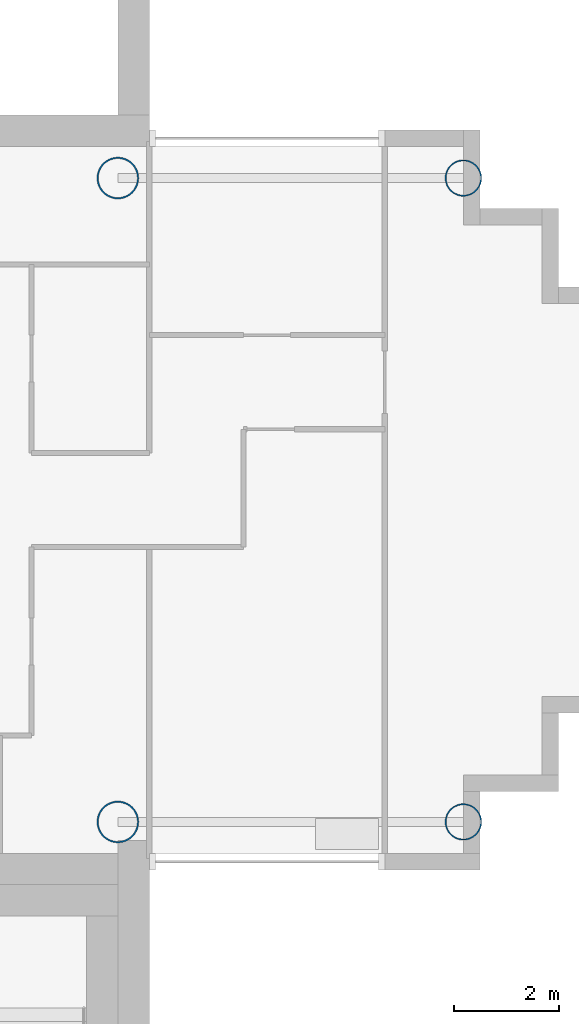
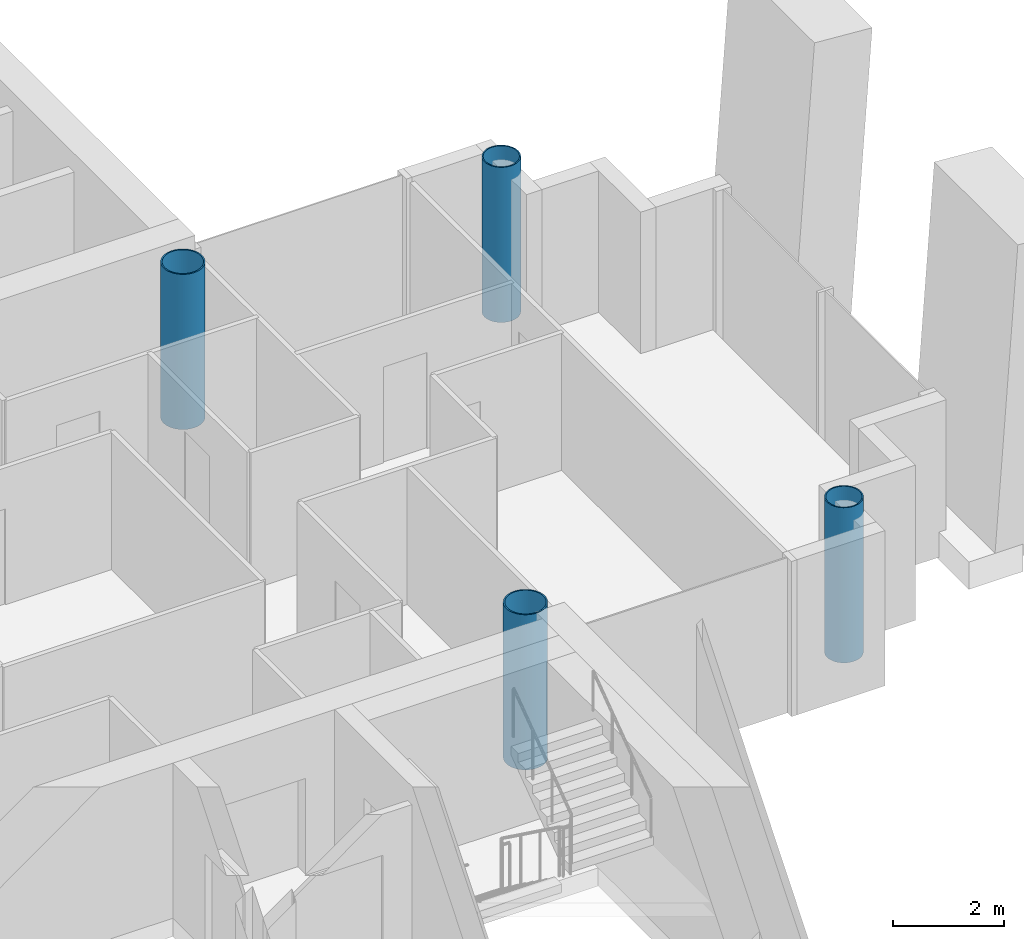
# One storey, part 2 of 18: 4 columns.
"""IFC4 building model written with IfcOpenShell, lengths in metres."""

import ifcopenshell
import ifcopenshell.guid

model = None  # the IFC model being written
_history = None  # IfcOwnerHistory: only IFC2X3 demands one
_inside = {}  # id of a spatial element -> (the spatial element, [elements in it])
_under = {}  # id of a project, library or spatial element -> (it, [spatial elements below it])
_declared = {}  # id of a project -> (the project, [libraries it declares])
_typed = {}  # id of a type object -> (the type object, [elements of that type])
_made_of = {}  # id of a material, layer set ... -> (it, [elements and type objects made of it])


def new_model(schema):
    """Start an empty IFC model of exactly this schema.

    Asked for "IFC4X3", IfcOpenShell would pick the latest addendum, in which some entities
    have other attributes; the version numbers below select the first issue.
    IFC2X3 requires an IfcOwnerHistory on every rooted entity: one is made here for all.
    """
    global model, _history
    if schema == "IFC4X3":
        model = ifcopenshell.file(schema_version=(4, 3, 0, 0))
    else:
        model = ifcopenshell.file(schema=schema)
    _inside.clear()
    _under.clear()
    _declared.clear()
    _typed.clear()
    _made_of.clear()
    _history = None
    if model.schema == "IFC2X3":
        org = make("IfcOrganization", Name="unknown")
        user = make(
            "IfcPersonAndOrganization",
            ThePerson=make("IfcPerson", FamilyName="unknown"),
            TheOrganization=org,
        )
        app = make(
            "IfcApplication",
            ApplicationDeveloper=org,
            Version="unknown",
            ApplicationFullName="unknown",
            ApplicationIdentifier="unknown",
        )
        _history = make(
            "IfcOwnerHistory",
            OwningUser=user,
            OwningApplication=app,
            ChangeAction="ADDED",
            CreationDate=0,
        )
    return model


def make(cls, **values):
    """One entity of the class cls with the attributes given. An attribute that is None is left unset."""
    return model.create_entity(
        cls, **{name: value for name, value in values.items() if value is not None}
    )


def rooted(cls, **values):
    """An entity with a GlobalId (a new one), such as an element, a storey or a relation."""
    return make(cls, GlobalId=ifcopenshell.guid.new(), OwnerHistory=_history, **values)


def si_unit(unit_type, name, prefix=None):
    """IfcSIUnit, for example si_unit("LENGTHUNIT", "METRE", prefix="MILLI")."""
    return make("IfcSIUnit", UnitType=unit_type, Prefix=prefix, Name=name)


def assignment(units):
    """IfcUnitAssignment: the units of a project."""
    return None if units is None else make("IfcUnitAssignment", Units=units)


def point(xyz):
    """IfcCartesianPoint."""
    return None if xyz is None else make("IfcCartesianPoint", Coordinates=xyz)


def direction(xyz):
    """IfcDirection."""
    return None if xyz is None else make("IfcDirection", DirectionRatios=xyz)


def frame(location, z_axis=None, x_axis=None):
    """IfcAxis2Placement3D, a coordinate frame: its origin and axes. An axis left out is left unset."""
    return make(
        "IfcAxis2Placement3D",
        Location=point(location),
        Axis=direction(z_axis),
        RefDirection=direction(x_axis),
    )


def frame_2d(location, x_axis=None):
    """IfcAxis2Placement2D, a coordinate frame in the plane: its origin and x axis."""
    return make(
        "IfcAxis2Placement2D", Location=point(location), RefDirection=direction(x_axis)
    )


def origin():
    """The frame at (0, 0, 0) with its axes left unset."""
    return frame((0.0, 0.0, 0.0))


def origin_2d():
    """The frame at (0, 0) in the plane with its x axis left unset."""
    return frame_2d((0.0, 0.0))


def place(relative_to, where):
    """IfcLocalPlacement: puts the frame where relative to a parent placement (None: the world)."""
    return make(
        "IfcLocalPlacement", PlacementRelTo=relative_to, RelativePlacement=where
    )


def context(
    kind, dimensions, precision=None, world=None, true_north=None, identifier=None
):
    """IfcGeometricRepresentationContext, for example the 3D "Model" context."""
    return make(
        "IfcGeometricRepresentationContext",
        ContextIdentifier=identifier,
        ContextType=kind,
        CoordinateSpaceDimension=dimensions,
        Precision=precision,
        WorldCoordinateSystem=world,
        TrueNorth=true_north,
    )


def subcontext(parent, identifier, kind, view, scale=None):
    """IfcGeometricRepresentationSubContext, for example "Body" below "Model"."""
    return make(
        "IfcGeometricRepresentationSubContext",
        ContextIdentifier=identifier,
        ContextType=kind,
        ParentContext=parent,
        TargetScale=scale,
        TargetView=view,
    )


def project(units=None, contexts=None):
    """IfcProject with its units and contexts."""
    return rooted(
        "IfcProject",
        Name="project",
        RepresentationContexts=contexts,
        UnitsInContext=assignment(units),
    )


def spatial(cls, under=None, at=None, **own):
    """A site, building, storey or space (cls), placed at a placement, below another one or the project."""
    s = rooted(cls, ObjectPlacement=at, **own)
    if under is not None:
        _under.setdefault(under.id(), (under, []))[1].append(s)
    return s


def profile(cls, at=None, kind="AREA", **sizes):
    """A parametric profile (cls). Its sizes go by their IFC names, for example OverallWidth=200.0."""
    return make(cls, ProfileType=kind, Position=at, **sizes)


def hollow_circle(**sizes):
    """IfcCircleHollowProfileDef."""
    return profile("IfcCircleHollowProfileDef", **sizes)


def extrude(swept, where, along, depth):
    """IfcExtrudedAreaSolid: the profile swept, set in the frame where, extruded along a direction by depth."""
    return make(
        "IfcExtrudedAreaSolid",
        SweptArea=swept,
        Position=where,
        ExtrudedDirection=direction(along),
        Depth=depth,
    )


def shape(context_of_items, identifier, shape_type, items):
    """IfcShapeRepresentation: the items that make up one representation, for example the "Body"."""
    return make(
        "IfcShapeRepresentation",
        ContextOfItems=context_of_items,
        RepresentationIdentifier=identifier,
        RepresentationType=shape_type,
        Items=items,
    )


def material(Name=None, Category=None):
    """IfcMaterial."""
    return make("IfcMaterial", Name=Name, Category=Category)


def material_profile(
    of_material, cross_section, Name=None, Category=None, Priority=None
):
    """IfcMaterialProfile: a cross section and its material."""
    return make(
        "IfcMaterialProfile",
        Name=Name,
        Material=of_material,
        Profile=cross_section,
        Priority=Priority,
        Category=Category,
    )


def profile_set(profiles, Name=None, composite=None):
    """IfcMaterialProfileSet."""
    return make(
        "IfcMaterialProfileSet",
        Name=Name,
        MaterialProfiles=profiles,
        CompositeProfile=composite,
    )


def made_of(thing, what):
    """Note that an element or type object is made of a material, layer set ...; save() writes the relation."""
    if what is not None:
        _made_of.setdefault(what.id(), (what, []))[1].append(thing)
    return thing


def type_object(cls, material=None, **own):
    """A type object (cls), such as IfcWallType, which elements share."""
    return made_of(rooted(cls, **own), material)


def element(
    cls,
    number,
    at=None,
    inside=None,
    cuts=None,
    type_object=None,
    material=None,
    context=None,
    identifier="Body",
    shape_type=None,
    held_by="IfcProductDefinitionShape",
    body=None,
    shapes=None,
    **own,
):
    """One element of the class cls, such as IfcWall. Its Tag is "e" and its number.

    at: its placement. inside: the storey or other place that contains it. cuts: it is an
    opening in that element (IfcRelVoidsElement). A single representation is given by context,
    identifier, shape_type and body (its items); several are given by shapes. held_by: the class
    of the entity that holds the representations. save() writes the other relations.
    """
    e = rooted(cls, Tag="e%d" % number, ObjectPlacement=at, **own)
    if body is not None:
        shapes = [shape(context, identifier, shape_type, body)]
    if shapes is not None:
        e.Representation = make(held_by, Representations=shapes)
    if inside is not None:
        _inside.setdefault(inside.id(), (inside, []))[1].append(e)
    if cuts is not None:
        rooted(
            "IfcRelVoidsElement", RelatingBuildingElement=cuts, RelatedOpeningElement=e
        )
    if type_object is not None:
        _typed.setdefault(type_object.id(), (type_object, []))[1].append(e)
    return made_of(e, material)


def aggregate(whole, parts):
    """IfcRelAggregates: a whole, such as a stair, and the parts it consists of."""
    return rooted("IfcRelAggregates", RelatingObject=whole, RelatedObjects=parts)


def save(model, path):
    """Write the relations noted so far, then the file.

    IfcRelAggregates (storeys below a building ...), IfcRelContainedInSpatialStructure (elements
    in a storey), IfcRelDefinesByType, IfcRelAssociatesMaterial and IfcRelDeclares: one each for
    every whole, place, type object, material and project.
    """
    for whole, parts in _under.values():
        aggregate(whole, parts)
    for where, things in _inside.values():
        rooted(
            "IfcRelContainedInSpatialStructure",
            RelatedElements=things,
            RelatingStructure=where,
        )
    for kind, things in _typed.values():
        rooted("IfcRelDefinesByType", RelatedObjects=things, RelatingType=kind)
    for what, things in _made_of.values():
        rooted("IfcRelAssociatesMaterial", RelatedObjects=things, RelatingMaterial=what)
    for by, libraries in _declared.values():
        rooted("IfcRelDeclares", RelatingContext=by, RelatedDefinitions=libraries)
    model.write(path)


model = new_model("IFC4")

# Units and contexts
model_context = context("Model", 3, precision=1e-05, world=origin(), true_north=direction((0.0, 1.0)))
body_context = subcontext(model_context, "Body", "Model", "MODEL_VIEW")
ifc_project = project(units=[si_unit("LENGTHUNIT", "METRE"), si_unit("AREAUNIT", "SQUARE_METRE"), si_unit("VOLUMEUNIT", "CUBIC_METRE"), si_unit("PLANEANGLEUNIT", "RADIAN"), si_unit("MASSUNIT", "GRAM", prefix="KILO")], contexts=[model_context])

# Site, building, storey
site_placement = place(None, origin())
site = spatial("IfcSite", under=ifc_project, at=site_placement, CompositionType="ELEMENT")
building_placement = place(site_placement, origin())
building = spatial("IfcBuilding", under=site, at=building_placement, Name="Ipe Terrace Towers", CompositionType="ELEMENT")
storey_placement = place(building_placement, frame((0.0, 0.0, 216.39990234375)))
storey = spatial("IfcBuildingStorey", under=building, at=storey_placement, Name="L60", CompositionType="ELEMENT", Elevation=216.39990234375)

# Columns
ifc_material_1 = material(Name="Steel S355 tube with Concrete C60/75 fill", Category="concrete")
ifc_material_profile_1 = material_profile(ifc_material_1, hollow_circle(Radius=0.35009765625, WallThickness=0.02490234375, at=origin_2d()), Name="CHS-700x25")
ifc_profile_set_1 = profile_set([ifc_material_profile_1], Name="Steel S355 tube with Concrete C60/75 fill")
column_type_1 = type_object("IfcColumnType", Name="CH08 COLUMN CHS-700x25", PredefinedType="COLUMN", material=ifc_profile_set_1)
for number, where, z_axis, x_axis, name in (
    (1, (48.75, -6.14990234375, 0.0), (0.0, 0.0, 1.0), (1.0, 0.0, 0.0), "Column T2-C-D01"),
    (2, (48.75, 6.14990234375, 0.0), (0.0, 0.0, 1.0), (1.0, 0.0, 0.0), "Column T2-C-D02"),
):
    element("IfcColumn", number, at=place(storey_placement, frame(where, z_axis=z_axis, x_axis=x_axis)), inside=storey, type_object=column_type_1, Name=name, PredefinedType="COLUMN", context=body_context, shape_type="SweptSolid", body=[
        extrude(hollow_circle(Radius=0.35009765625, WallThickness=0.02490234375, at=origin_2d()), origin(), (0.0, 0.0, 1.0), 3.400146484375),
    ])
ifc_material_2 = material(Name="Steel S355 tube with Concrete C60/75 fill", Category="concrete")
ifc_material_profile_2 = material_profile(ifc_material_2, hollow_circle(Radius=0.39990234375, WallThickness=0.028076171875, at=origin_2d()), Name="CHS-800x28")
ifc_profile_set_2 = profile_set([ifc_material_profile_2], Name="Steel S355 tube with Concrete C60/75 fill")
column_type_2 = type_object("IfcColumnType", Name="CH09 COLUMN CHS-800x28", PredefinedType="COLUMN", material=ifc_profile_set_2)
for number, where, z_axis, x_axis, name in (
    (3, (42.14990234375, -6.14990234375, 0.0), (0.0, 0.0, 1.0), (1.0, 0.0, 0.0), "Column T2-C-E01"),
    (4, (42.14990234375, 6.14990234375, 0.0), (0.0, 0.0, 1.0), (1.0, 0.0, 0.0), "Column T2-C-E02"),
):
    element("IfcColumn", number, at=place(storey_placement, frame(where, z_axis=z_axis, x_axis=x_axis)), inside=storey, type_object=column_type_2, Name=name, PredefinedType="COLUMN", context=body_context, shape_type="SweptSolid", body=[
        extrude(hollow_circle(Radius=0.39990234375, WallThickness=0.028076171875, at=origin_2d()), origin(), (0.0, 0.0, 1.0), 3.400146484375),
    ])

save(model, "model.ifc")
